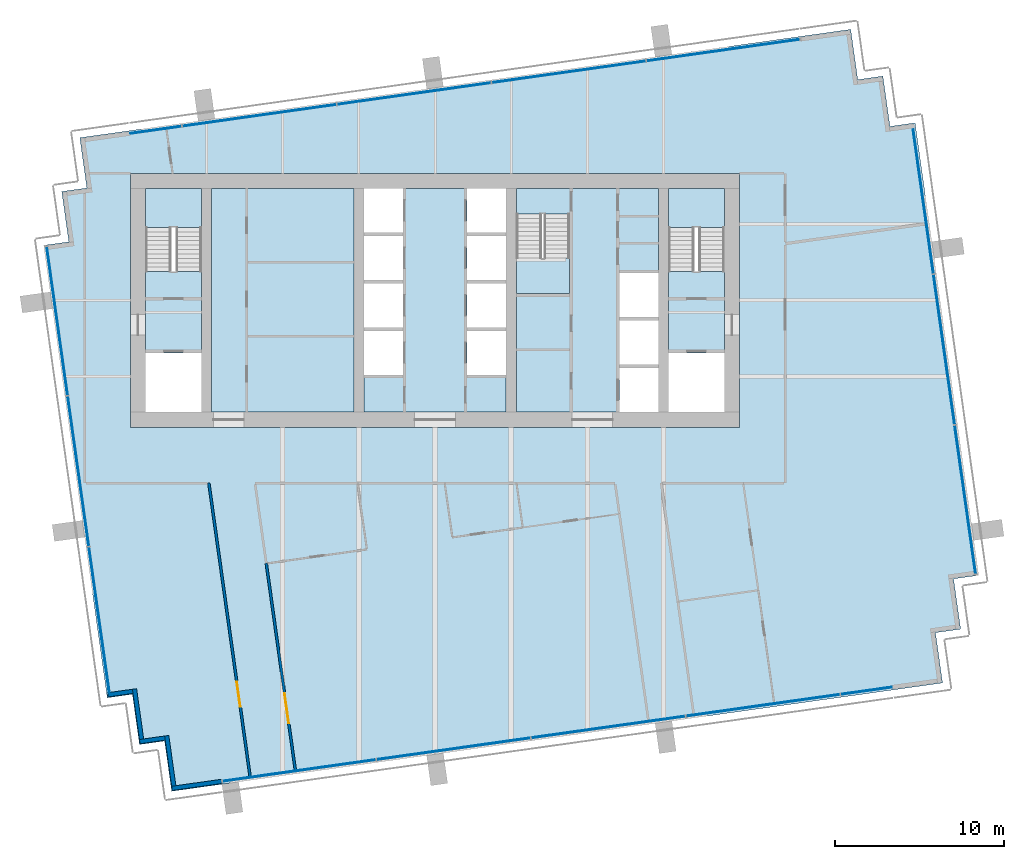
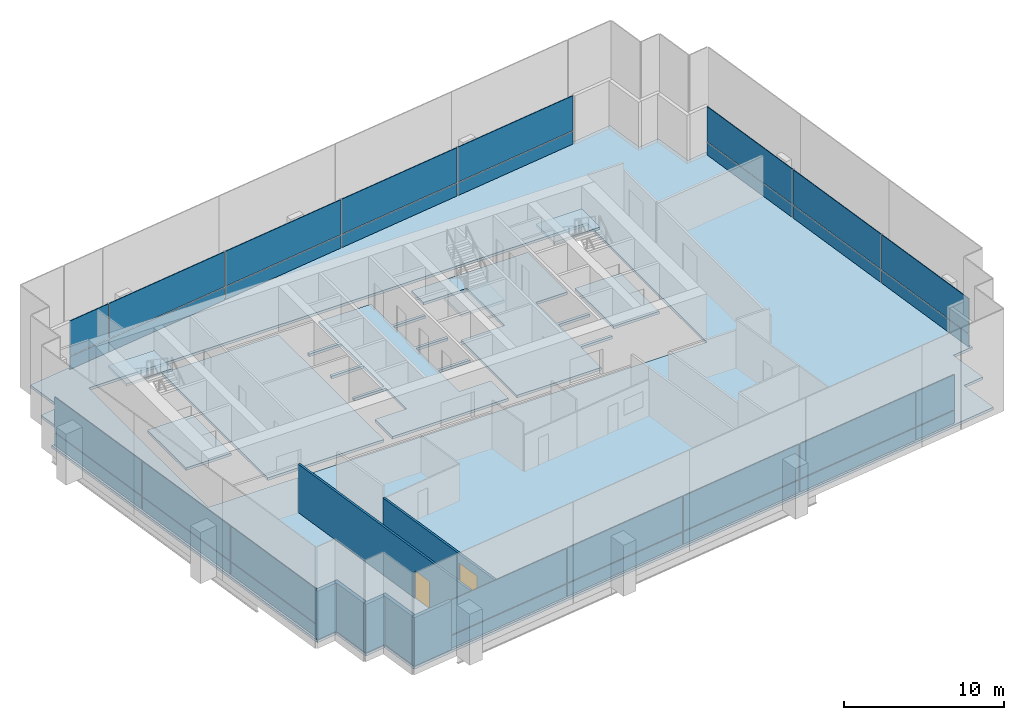
# One storey, part 8 of 17: 32 plates, 9 slabs, 7 walls, 2 doors, 2 openings, 7 elements without a shape of their own.
"""IFC4 building model written with IfcOpenShell, lengths in metres."""

from ifc_helpers import new_model, si_unit, direction, frame, frame_2d, origin, origin_2d, place, context, subcontext, project, spatial, polyline, rectangle, outline, extrude, material, layer, layer_set, type_object, element, fill, aggregate, save


model = new_model("IFC4")

# Units and contexts
model_context = context("Model", 3, precision=1e-05, world=origin(), true_north=direction((0.0, 1.0)))
body_context = subcontext(model_context, "Body", "Model", "MODEL_VIEW")
ifc_project = project(units=[si_unit("LENGTHUNIT", "METRE"), si_unit("AREAUNIT", "SQUARE_METRE"), si_unit("VOLUMEUNIT", "CUBIC_METRE"), si_unit("PLANEANGLEUNIT", "RADIAN"), si_unit("MASSUNIT", "GRAM", prefix="KILO")], contexts=[model_context])

# Site, building, storey
site_placement = place(None, origin())
site = spatial("IfcSite", under=ifc_project, at=site_placement, CompositionType="ELEMENT")
building_placement = place(site_placement, origin())
building = spatial("IfcBuilding", under=site, at=building_placement, Name="Rattan Terrace Tower", CompositionType="ELEMENT")
storey_placement = place(building_placement, frame((0.0, 0.0, 213.5)))
storey = spatial("IfcBuildingStorey", under=building, at=storey_placement, Name="L48", CompositionType="ELEMENT", Elevation=213.5)

# Stair, slab
ifc_material_1 = material(Name="Concrete C40/50", Category="concrete")
stair_type = type_object("IfcStairType", Name="Core exit stair 1500", PredefinedType="HALF_TURN_STAIR", material=ifc_material_1)
stair_1_placement = place(storey_placement, origin())
stair_1 = element("IfcStair", 1, at=stair_1_placement, inside=storey, type_object=stair_type, Name="L48 exit stair 1", PredefinedType="HALF_TURN_STAIR")
ifc_material_2 = material(Name="Concrete C40/50", Category="concrete")
ifc_layer_1 = layer(ifc_material_2, 0.199951171875)
ifc_layer_set_1 = layer_set([ifc_layer_1], Name="Core exit stair landing")
slab_type_1 = type_object("IfcSlabType", Name="Core exit stair landing", PredefinedType="LANDING", material=ifc_layer_set_1)
slab_1_placement = place(storey_placement, frame((0.0, 0.0, 1.75)))
slab_1 = element("IfcSlab", 2, at=slab_1_placement, type_object=slab_type_1, Name="S1 landing 1", PredefinedType="LANDING", context=body_context, shape_type="SweptSolid", body=[
    extrude(outline(polyline([(-13.800048828125, 4.300048828125), (-13.800048828125, 6.60009765625), (-17.10009765625, 6.60009765625), (-17.10009765625, 4.300048828125), (-13.800048828125, 4.300048828125)])), origin(), (0.0, 0.0, 1.0), 0.199951171875),
])
aggregate(stair_1, [slab_1])

stair_2_placement = place(storey_placement, origin())
stair_2 = element("IfcStair", 3, at=stair_2_placement, inside=storey, type_object=stair_type, Name="L48 exit stair 2", PredefinedType="HALF_TURN_STAIR")
slab_2_placement = place(storey_placement, frame((0.0, 0.0, 1.75)))
slab_2 = element("IfcSlab", 4, at=slab_2_placement, type_object=slab_type_1, Name="S2 landing 1", PredefinedType="LANDING", context=body_context, shape_type="SweptSolid", body=[
    extrude(outline(polyline([(17.10009765625, 4.300048828125), (17.10009765625, 6.60009765625), (13.800048828125, 6.60009765625), (13.800048828125, 4.300048828125), (17.10009765625, 4.300048828125)])), origin(), (0.0, 0.0, 1.0), 0.199951171875),
])
aggregate(stair_2, [slab_2])

stair_3_placement = place(storey_placement, origin())
stair_3 = element("IfcStair", 5, at=stair_3_placement, inside=storey, type_object=stair_type, Name="L48 exit stair 3", PredefinedType="HALF_TURN_STAIR")
slab_3_placement = place(storey_placement, frame((0.0, 0.0, 1.75)))
slab_3 = element("IfcSlab", 6, at=slab_3_placement, type_object=slab_type_1, Name="S3 landing 1", PredefinedType="LANDING", context=body_context, shape_type="SweptSolid", body=[
    extrude(outline(polyline([(4.800048828125, 2.5), (4.800048828125, 0.39990234375), (7.949951171875, 0.39990234375), (7.949951171875, 2.5), (4.800048828125, 2.5)])), origin(), (0.0, 0.0, 1.0), 0.199951171875),
])
aggregate(stair_3, [slab_3])

# Slabs
ifc_material_3 = material(Name="Concrete C35/45", Category="concrete")
ifc_layer_2 = layer(ifc_material_3, 0.199951171875)
ifc_layer_set_2 = layer_set([ifc_layer_2], Name="Frame composite floor slab 200")
slab_type_2 = type_object("IfcSlabType", Name="Frame composite floor slab 200", PredefinedType="FLOOR", material=ifc_layer_set_2)
slab_4_placement = place(storey_placement, frame((0.0, 0.0, -0.199951171875)))
element("IfcSlab", 7, at=slab_4_placement, inside=storey, type_object=slab_type_2, Name="Floor slab", PredefinedType="FLOOR", context=body_context, shape_type="SweptSolid", body=[
    extrude(outline(polyline([(-12.591064453125, -28.593994140625), (27.01904296875, -23.027099609375), (29.989990234375, -22.60888671875), (29.572998046875, -19.637939453125), (31.05810546875, -19.429931640625), (30.639892578125, -16.458984375), (32.1259765625, -16.25), (28.367919921875, 10.487060546875), (26.883056640625, 10.278076171875), (26.465087890625, 13.2490234375), (24.97998046875, 13.0400390625), (24.56201171875, 16.010986328125), (21.591064453125, 15.593994140625), (-18.01904296875, 10.027099609375), (-20.989990234375, 9.60888671875), (-20.572998046875, 6.637939453125), (-22.05810546875, 6.429931640625), (-21.639892578125, 3.458984375), (-23.1259765625, 3.25), (-19.367919921875, -23.487060546875), (-17.883056640625, -23.278076171875), (-17.465087890625, -26.2490234375), (-15.97998046875, -26.0400390625), (-15.56201171875, -29.010986328125), (-12.591064453125, -28.593994140625)]), holes=[polyline([(-18.0, -7.5), (18.0, -7.5), (18.0, -6.60009765625), (18.0, 6.60009765625), (18.0, 7.5), (-18.0, 7.5), (-18.0, 6.60009765625), (-18.0, -6.60009765625), (-18.0, -7.5)])]), origin(), (0.0, 0.0, 1.0), 0.199951171875),
])
slab_5_placement = place(storey_placement, frame((0.0, 0.0, -0.199951171875)))
element("IfcSlab", 8, at=slab_5_placement, inside=storey, type_object=slab_type_2, Name="Floor slab", PredefinedType="FLOOR", context=body_context, shape_type="SweptSolid", body=[
    extrude(outline(polyline([(13.199951171875, 6.60009765625), (4.800048828125, 6.60009765625), (4.800048828125, 5.090087890625), (7.949951171875, 5.090087890625), (7.949951171875, 0.39990234375), (4.800048828125, 0.39990234375), (4.800048828125, -6.60009765625), (10.89990234375, -6.60009765625), (10.89990234375, -4.0), (13.199951171875, -4.0), (13.199951171875, -3.800048828125), (10.89990234375, -3.800048828125), (10.89990234375, -1.199951171875), (13.199951171875, -1.199951171875), (13.199951171875, -1.0), (10.89990234375, -1.0), (10.89990234375, 1.60009765625), (13.199951171875, 1.60009765625), (13.199951171875, 6.60009765625)])), origin(), (0.0, 0.0, 1.0), 0.199951171875),
])
slab_6_placement = place(storey_placement, frame((0.0, 0.0, -0.199951171875)))
element("IfcSlab", 9, at=slab_6_placement, inside=storey, type_object=slab_type_2, Name="Floor slab", PredefinedType="FLOOR", context=body_context, shape_type="SweptSolid", body=[
    extrude(outline(polyline([(1.89990234375, 6.60009765625), (-1.89990234375, 6.60009765625), (-1.89990234375, 4.0), (-4.199951171875, 4.0), (-4.199951171875, 3.800048828125), (-1.89990234375, 3.800048828125), (-1.89990234375, 1.199951171875), (-4.199951171875, 1.199951171875), (-4.199951171875, 1.0), (-1.89990234375, 1.0), (-1.89990234375, -1.60009765625), (-4.199951171875, -1.60009765625), (-4.199951171875, -1.800048828125), (-1.89990234375, -1.800048828125), (-1.89990234375, -4.39990234375), (-4.199951171875, -4.39990234375), (-4.199951171875, -6.60009765625), (4.199951171875, -6.60009765625), (4.199951171875, -4.39990234375), (1.89990234375, -4.39990234375), (1.89990234375, -1.800048828125), (4.199951171875, -1.800048828125), (4.199951171875, -1.60009765625), (1.89990234375, -1.60009765625), (1.89990234375, 1.0), (4.199951171875, 1.0), (4.199951171875, 1.199951171875), (1.89990234375, 1.199951171875), (1.89990234375, 3.800048828125), (4.199951171875, 3.800048828125), (4.199951171875, 4.0), (1.89990234375, 4.0), (1.89990234375, 6.60009765625)])), origin(), (0.0, 0.0, 1.0), 0.199951171875),
])
slab_7_placement = place(storey_placement, frame((0.0, 0.0, -0.199951171875)))
element("IfcSlab", 10, at=slab_7_placement, inside=storey, type_object=slab_type_2, Name="Floor slab", PredefinedType="FLOOR", context=body_context, shape_type="SweptSolid", body=[
    extrude(outline(polyline([(-17.10009765625, -3.10009765625), (-13.800048828125, -3.10009765625), (-13.800048828125, 1.7099609375), (-17.10009765625, 1.7099609375), (-17.10009765625, -3.10009765625)])), origin(), (0.0, 0.0, 1.0), 0.199951171875),
])
slab_8_placement = place(storey_placement, frame((0.0, 0.0, -0.199951171875)))
element("IfcSlab", 11, at=slab_8_placement, inside=storey, type_object=slab_type_2, Name="Floor slab", PredefinedType="FLOOR", context=body_context, shape_type="SweptSolid", body=[
    extrude(outline(polyline([(-4.800048828125, -6.60009765625), (-4.800048828125, 6.60009765625), (-13.199951171875, 6.60009765625), (-13.199951171875, -6.60009765625), (-4.800048828125, -6.60009765625)])), origin(), (0.0, 0.0, 1.0), 0.199951171875),
])
slab_9_placement = place(storey_placement, frame((0.0, 0.0, -0.199951171875)))
element("IfcSlab", 12, at=slab_9_placement, inside=storey, type_object=slab_type_2, Name="Floor slab", PredefinedType="FLOOR", context=body_context, shape_type="SweptSolid", body=[
    extrude(outline(polyline([(13.800048828125, -3.10009765625), (17.10009765625, -3.10009765625), (17.10009765625, 1.7099609375), (13.800048828125, 1.7099609375), (13.800048828125, -3.10009765625)])), origin(), (0.0, 0.0, 1.0), 0.199951171875),
])

# Curtain wall, plates
ifc_material_4 = material(Name="Aluminium and laminated glass", Category="aluminium")
ifc_layer_3 = layer(ifc_material_4, 0.199951171875)
ifc_layer_set_3 = layer_set([ifc_layer_3], Name="High-Zone Unitised Curtain Wall")
curtain_wall_type = type_object("IfcCurtainWallType", Name="High-Zone Unitised Curtain Wall", PredefinedType="NOTDEFINED", material=ifc_layer_set_3)
curtain_wall_1_placement = place(storey_placement, origin())
curtain_wall_1 = element("IfcCurtainWall", 13, at=curtain_wall_1_placement, inside=storey, type_object=curtain_wall_type, Name="High-zone curtain wall L48-1", PredefinedType="NOTDEFINED")
ifc_material_5 = material(Name="Aluminium insulated spandrel panel", Category="aluminium")
ifc_layer_4 = layer(ifc_material_5, 0.050048828125)
ifc_layer_set_4 = layer_set([ifc_layer_4], Name="High-Zone CW Spandrel Panel")
plate_type_1 = type_object("IfcPlateType", Name="High-Zone CW Spandrel Panel", PredefinedType="CURTAIN_PANEL", material=ifc_layer_set_4)
plate_1_placement = place(storey_placement, frame((31.32568359375, -11.77783203125, 0.0), z_axis=(0.0, 0.0, 1.0), x_axis=(-0.139186165309, 0.990266232579, 0.0)))
plate_1 = element("IfcPlate", 14, at=plate_1_placement, type_object=plate_type_1, Name="Panel cwl-L48-001.1.1", PredefinedType="CURTAIN_PANEL", context=body_context, shape_type="SweptSolid", body=[
    extrude(rectangle(XDim=8.85009765625, YDim=0.050048828125, at=origin_2d()), origin(), (0.0, 0.0, 1.0), 0.965087890625),
])
plate_2_placement = place(storey_placement, frame((30.07861328125, -2.905029296875, 0.0), z_axis=(0.0, 0.0, 1.0), x_axis=(-0.139186165309, 0.990266232579, 0.0)))
plate_2 = element("IfcPlate", 15, at=plate_2_placement, type_object=plate_type_1, Name="Panel cwl-L48-001.2.1", PredefinedType="CURTAIN_PANEL", context=body_context, shape_type="SweptSolid", body=[
    extrude(rectangle(XDim=8.929931640625, YDim=0.050048828125, at=origin_2d()), origin(), (0.0, 0.0, 1.0), 0.965087890625),
])
plate_3_placement = place(storey_placement, frame((28.843994140625, 5.87841796875, 0.0), z_axis=(0.0, 0.0, 1.0), x_axis=(-0.139186165309, 0.990266232579, 0.0)))
plate_3 = element("IfcPlate", 16, at=plate_3_placement, type_object=plate_type_1, Name="Panel cwl-L48-001.3.1", PredefinedType="CURTAIN_PANEL", context=body_context, shape_type="SweptSolid", body=[
    extrude(rectangle(XDim=8.669677734375, YDim=0.050048828125, at=origin_2d()), origin(), (0.0, 0.0, 1.0), 0.965087890625),
])

curtain_wall_2_placement = place(storey_placement, origin())
curtain_wall_2 = element("IfcCurtainWall", 17, at=curtain_wall_2_placement, inside=storey, type_object=curtain_wall_type, Name="High-zone curtain wall L48-2", PredefinedType="NOTDEFINED")
plate_4_placement = place(storey_placement, frame((17.02685546875, 14.78076171875, 0.0), z_axis=(0.0, 0.0, 1.0), x_axis=(-0.990267457022, -0.139177453499, 0.0)))
plate_4 = element("IfcPlate", 18, at=plate_4_placement, type_object=plate_type_1, Name="Panel cwl-L48-002.1.1", PredefinedType="CURTAIN_PANEL", context=body_context, shape_type="SweptSolid", body=[
    extrude(rectangle(XDim=9.1259765625, YDim=0.050048828125, at=origin_2d()), origin(), (0.0, 0.0, 1.0), 0.965087890625),
])
plate_5_placement = place(storey_placement, frame((7.90283203125, 13.49853515625, 0.0), z_axis=(0.0, 0.0, 1.0), x_axis=(-0.990267457022, -0.139177453499, 0.0)))
plate_5 = element("IfcPlate", 19, at=plate_5_placement, type_object=plate_type_1, Name="Panel cwl-L48-002.2.1", PredefinedType="CURTAIN_PANEL", context=body_context, shape_type="SweptSolid", body=[
    extrude(rectangle(XDim=9.160888671875, YDim=0.050048828125, at=origin_2d()), origin(), (0.0, 0.0, 1.0), 0.965087890625),
])
plate_6_placement = place(storey_placement, frame((-1.23828125, 12.2138671875, 0.0), z_axis=(0.0, 0.0, 1.0), x_axis=(-0.990267457022, -0.139177453499, 0.0)))
plate_6 = element("IfcPlate", 20, at=plate_6_placement, type_object=plate_type_1, Name="Panel cwl-L48-002.3.1", PredefinedType="CURTAIN_PANEL", context=body_context, shape_type="SweptSolid", body=[
    extrude(rectangle(XDim=9.160888671875, YDim=0.050048828125, at=origin_2d()), origin(), (0.0, 0.0, 1.0), 0.965087890625),
])
plate_7_placement = place(storey_placement, frame((-10.37939453125, 10.928955078125, 0.0), z_axis=(0.0, 0.0, 1.0), x_axis=(-0.990267457022, -0.139177453499, 0.0)))
plate_7 = element("IfcPlate", 21, at=plate_7_placement, type_object=plate_type_1, Name="Panel cwl-L48-002.4.1", PredefinedType="CURTAIN_PANEL", context=body_context, shape_type="SweptSolid", body=[
    extrude(rectangle(XDim=9.160888671875, YDim=0.050048828125, at=origin_2d()), origin(), (0.0, 0.0, 1.0), 0.965087890625),
])
plate_8_placement = place(storey_placement, frame((-16.489990234375, 10.0703125, 0.0), z_axis=(0.0, 0.0, 1.0), x_axis=(-0.990267457022, -0.139177453499, 0.0)))
plate_8 = element("IfcPlate", 22, at=plate_8_placement, type_object=plate_type_1, Name="Panel cwl-L48-002.5.1", PredefinedType="CURTAIN_PANEL", context=body_context, shape_type="SweptSolid", body=[
    extrude(rectangle(XDim=3.040283203125, YDim=0.050048828125, at=origin_2d()), origin(), (0.0, 0.0, 1.0), 0.965087890625),
])

curtain_wall_3_placement = place(storey_placement, origin())
curtain_wall_3 = element("IfcCurtainWall", 23, at=curtain_wall_3_placement, inside=storey, type_object=curtain_wall_type, Name="High-zone curtain wall L48-3", PredefinedType="NOTDEFINED")
plate_9_placement = place(storey_placement, frame((-22.32568359375, -1.22216796875, 0.0), z_axis=(0.0, 0.0, 1.0), x_axis=(0.139186165309, -0.990266232579, 0.0)))
plate_9 = element("IfcPlate", 24, at=plate_9_placement, type_object=plate_type_1, Name="Panel cwl-L48-003.1.1", PredefinedType="CURTAIN_PANEL", context=body_context, shape_type="SweptSolid", body=[
    extrude(rectangle(XDim=8.85009765625, YDim=0.050048828125, at=origin_2d()), origin(), (0.0, 0.0, 1.0), 0.965087890625),
])
plate_10_placement = place(storey_placement, frame((-21.07861328125, -10.094970703125, 0.0), z_axis=(0.0, 0.0, 1.0), x_axis=(0.139186165309, -0.990266232579, 0.0)))
plate_10 = element("IfcPlate", 25, at=plate_10_placement, type_object=plate_type_1, Name="Panel cwl-L48-003.2.1", PredefinedType="CURTAIN_PANEL", context=body_context, shape_type="SweptSolid", body=[
    extrude(rectangle(XDim=8.929931640625, YDim=0.050048828125, at=origin_2d()), origin(), (0.0, 0.0, 1.0), 0.965087890625),
])
plate_11_placement = place(storey_placement, frame((-19.843994140625, -18.87841796875, 0.0), z_axis=(0.0, 0.0, 1.0), x_axis=(0.139186165309, -0.990266232579, 0.0)))
plate_11 = element("IfcPlate", 26, at=plate_11_placement, type_object=plate_type_1, Name="Panel cwl-L48-003.3.1", PredefinedType="CURTAIN_PANEL", context=body_context, shape_type="SweptSolid", body=[
    extrude(rectangle(XDim=8.669677734375, YDim=0.050048828125, at=origin_2d()), origin(), (0.0, 0.0, 1.0), 0.965087890625),
])

curtain_wall_4_placement = place(storey_placement, origin())
curtain_wall_4 = element("IfcCurtainWall", 27, at=curtain_wall_4_placement, inside=storey, type_object=curtain_wall_type, Name="High-zone curtain wall L48-4", PredefinedType="NOTDEFINED")
plate_12_placement = place(storey_placement, frame((-8.02685546875, -27.78076171875, 0.0), z_axis=(0.0, 0.0, 1.0), x_axis=(0.990267457022, 0.139177453499, 0.0)))
plate_12 = element("IfcPlate", 28, at=plate_12_placement, type_object=plate_type_1, Name="Panel cwl-L48-004.1.1", PredefinedType="CURTAIN_PANEL", context=body_context, shape_type="SweptSolid", body=[
    extrude(rectangle(XDim=9.1259765625, YDim=0.050048828125, at=origin_2d()), origin(), (0.0, 0.0, 1.0), 0.965087890625),
])
plate_13_placement = place(storey_placement, frame((1.09716796875, -26.49853515625, 0.0), z_axis=(0.0, 0.0, 1.0), x_axis=(0.990267457022, 0.139177453499, 0.0)))
plate_13 = element("IfcPlate", 29, at=plate_13_placement, type_object=plate_type_1, Name="Panel cwl-L48-004.2.1", PredefinedType="CURTAIN_PANEL", context=body_context, shape_type="SweptSolid", body=[
    extrude(rectangle(XDim=9.160888671875, YDim=0.050048828125, at=origin_2d()), origin(), (0.0, 0.0, 1.0), 0.965087890625),
])
plate_14_placement = place(storey_placement, frame((10.23828125, -25.2138671875, 0.0), z_axis=(0.0, 0.0, 1.0), x_axis=(0.990267457022, 0.139177453499, 0.0)))
plate_14 = element("IfcPlate", 30, at=plate_14_placement, type_object=plate_type_1, Name="Panel cwl-L48-004.3.1", PredefinedType="CURTAIN_PANEL", context=body_context, shape_type="SweptSolid", body=[
    extrude(rectangle(XDim=9.160888671875, YDim=0.050048828125, at=origin_2d()), origin(), (0.0, 0.0, 1.0), 0.965087890625),
])
plate_15_placement = place(storey_placement, frame((19.37939453125, -23.928955078125, 0.0), z_axis=(0.0, 0.0, 1.0), x_axis=(0.990267457022, 0.139177453499, 0.0)))
plate_15 = element("IfcPlate", 31, at=plate_15_placement, type_object=plate_type_1, Name="Panel cwl-L48-004.4.1", PredefinedType="CURTAIN_PANEL", context=body_context, shape_type="SweptSolid", body=[
    extrude(rectangle(XDim=9.160888671875, YDim=0.050048828125, at=origin_2d()), origin(), (0.0, 0.0, 1.0), 0.965087890625),
])
plate_16_placement = place(storey_placement, frame((25.489990234375, -23.0703125, 0.0), z_axis=(0.0, 0.0, 1.0), x_axis=(0.990267457022, 0.139177453499, 0.0)))
plate_16 = element("IfcPlate", 32, at=plate_16_placement, type_object=plate_type_1, Name="Panel cwl-L48-004.5.1", PredefinedType="CURTAIN_PANEL", context=body_context, shape_type="SweptSolid", body=[
    extrude(rectangle(XDim=3.040283203125, YDim=0.050048828125, at=origin_2d()), origin(), (0.0, 0.0, 1.0), 0.965087890625),
])

# Plate
ifc_material_6 = material(Name="Laminated low-iron glass", Category="glass")
ifc_layer_5 = layer(ifc_material_6, 0.055908203125)
ifc_layer_set_5 = layer_set([ifc_layer_5], Name="High-Zone CW Vision Panel")
plate_type_2 = type_object("IfcPlateType", Name="High-Zone CW Vision Panel", PredefinedType="CURTAIN_PANEL", material=ifc_layer_set_5)
plate_17_placement = place(storey_placement, frame((31.32568359375, -11.77783203125, 1.034912109375), z_axis=(0.0, 0.0, 1.0), x_axis=(-0.139186165309, 0.990266232579, 0.0)))
plate_17 = element("IfcPlate", 33, at=plate_17_placement, type_object=plate_type_2, Name="Panel cwl-L48-001.1.2", PredefinedType="CURTAIN_PANEL", context=body_context, shape_type="SweptSolid", body=[
    extrude(rectangle(XDim=8.85009765625, YDim=0.055908203125, at=origin_2d()), origin(), (0.0, 0.0, 1.0), 2.6650390625),
])

plate_18_placement = place(storey_placement, frame((30.07861328125, -2.905029296875, 1.034912109375), z_axis=(0.0, 0.0, 1.0), x_axis=(-0.139186165309, 0.990266232579, 0.0)))
plate_18 = element("IfcPlate", 34, at=plate_18_placement, type_object=plate_type_2, Name="Panel cwl-L48-001.2.2", PredefinedType="CURTAIN_PANEL", context=body_context, shape_type="SweptSolid", body=[
    extrude(rectangle(XDim=8.929931640625, YDim=0.055908203125, at=origin_2d()), origin(), (0.0, 0.0, 1.0), 2.6650390625),
])

plate_19_placement = place(storey_placement, frame((28.843994140625, 5.87841796875, 1.034912109375), z_axis=(0.0, 0.0, 1.0), x_axis=(-0.139186165309, 0.990266232579, 0.0)))
plate_19 = element("IfcPlate", 35, at=plate_19_placement, type_object=plate_type_2, Name="Panel cwl-L48-001.3.2", PredefinedType="CURTAIN_PANEL", context=body_context, shape_type="SweptSolid", body=[
    extrude(rectangle(XDim=8.669677734375, YDim=0.055908203125, at=origin_2d()), origin(), (0.0, 0.0, 1.0), 2.6650390625),
])

aggregate(curtain_wall_1, [plate_1, plate_17, plate_2, plate_18, plate_3, plate_19])

plate_20_placement = place(storey_placement, frame((17.02685546875, 14.78076171875, 1.034912109375), z_axis=(0.0, 0.0, 1.0), x_axis=(-0.990267457022, -0.139177453499, 0.0)))
plate_20 = element("IfcPlate", 36, at=plate_20_placement, type_object=plate_type_2, Name="Panel cwl-L48-002.1.2", PredefinedType="CURTAIN_PANEL", context=body_context, shape_type="SweptSolid", body=[
    extrude(rectangle(XDim=9.1259765625, YDim=0.055908203125, at=origin_2d()), origin(), (0.0, 0.0, 1.0), 2.6650390625),
])

plate_21_placement = place(storey_placement, frame((7.90283203125, 13.49853515625, 1.034912109375), z_axis=(0.0, 0.0, 1.0), x_axis=(-0.990267457022, -0.139177453499, 0.0)))
plate_21 = element("IfcPlate", 37, at=plate_21_placement, type_object=plate_type_2, Name="Panel cwl-L48-002.2.2", PredefinedType="CURTAIN_PANEL", context=body_context, shape_type="SweptSolid", body=[
    extrude(rectangle(XDim=9.160888671875, YDim=0.055908203125, at=origin_2d()), origin(), (0.0, 0.0, 1.0), 2.6650390625),
])

plate_22_placement = place(storey_placement, frame((-1.23828125, 12.2138671875, 1.034912109375), z_axis=(0.0, 0.0, 1.0), x_axis=(-0.990267457022, -0.139177453499, 0.0)))
plate_22 = element("IfcPlate", 38, at=plate_22_placement, type_object=plate_type_2, Name="Panel cwl-L48-002.3.2", PredefinedType="CURTAIN_PANEL", context=body_context, shape_type="SweptSolid", body=[
    extrude(rectangle(XDim=9.160888671875, YDim=0.055908203125, at=origin_2d()), origin(), (0.0, 0.0, 1.0), 2.6650390625),
])

plate_23_placement = place(storey_placement, frame((-10.37939453125, 10.928955078125, 1.034912109375), z_axis=(0.0, 0.0, 1.0), x_axis=(-0.990267457022, -0.139177453499, 0.0)))
plate_23 = element("IfcPlate", 39, at=plate_23_placement, type_object=plate_type_2, Name="Panel cwl-L48-002.4.2", PredefinedType="CURTAIN_PANEL", context=body_context, shape_type="SweptSolid", body=[
    extrude(rectangle(XDim=9.160888671875, YDim=0.055908203125, at=origin_2d()), origin(), (0.0, 0.0, 1.0), 2.6650390625),
])

plate_24_placement = place(storey_placement, frame((-16.489990234375, 10.0703125, 1.034912109375), z_axis=(0.0, 0.0, 1.0), x_axis=(-0.990267457022, -0.139177453499, 0.0)))
plate_24 = element("IfcPlate", 40, at=plate_24_placement, type_object=plate_type_2, Name="Panel cwl-L48-002.5.2", PredefinedType="CURTAIN_PANEL", context=body_context, shape_type="SweptSolid", body=[
    extrude(rectangle(XDim=3.040283203125, YDim=0.055908203125, at=origin_2d()), origin(), (0.0, 0.0, 1.0), 2.6650390625),
])

aggregate(curtain_wall_2, [plate_4, plate_20, plate_5, plate_21, plate_6, plate_22, plate_7, plate_23, plate_8, plate_24])

plate_25_placement = place(storey_placement, frame((-22.32568359375, -1.22216796875, 1.034912109375), z_axis=(0.0, 0.0, 1.0), x_axis=(0.139186165309, -0.990266232579, 0.0)))
plate_25 = element("IfcPlate", 41, at=plate_25_placement, type_object=plate_type_2, Name="Panel cwl-L48-003.1.2", PredefinedType="CURTAIN_PANEL", context=body_context, shape_type="SweptSolid", body=[
    extrude(rectangle(XDim=8.85009765625, YDim=0.055908203125, at=origin_2d()), origin(), (0.0, 0.0, 1.0), 2.6650390625),
])

plate_26_placement = place(storey_placement, frame((-21.07861328125, -10.094970703125, 1.034912109375), z_axis=(0.0, 0.0, 1.0), x_axis=(0.139186165309, -0.990266232579, 0.0)))
plate_26 = element("IfcPlate", 42, at=plate_26_placement, type_object=plate_type_2, Name="Panel cwl-L48-003.2.2", PredefinedType="CURTAIN_PANEL", context=body_context, shape_type="SweptSolid", body=[
    extrude(rectangle(XDim=8.929931640625, YDim=0.055908203125, at=origin_2d()), origin(), (0.0, 0.0, 1.0), 2.6650390625),
])

plate_27_placement = place(storey_placement, frame((-19.843994140625, -18.87841796875, 1.034912109375), z_axis=(0.0, 0.0, 1.0), x_axis=(0.139186165309, -0.990266232579, 0.0)))
plate_27 = element("IfcPlate", 43, at=plate_27_placement, type_object=plate_type_2, Name="Panel cwl-L48-003.3.2", PredefinedType="CURTAIN_PANEL", context=body_context, shape_type="SweptSolid", body=[
    extrude(rectangle(XDim=8.669677734375, YDim=0.055908203125, at=origin_2d()), origin(), (0.0, 0.0, 1.0), 2.6650390625),
])

aggregate(curtain_wall_3, [plate_9, plate_25, plate_10, plate_26, plate_11, plate_27])

plate_28_placement = place(storey_placement, frame((-8.02685546875, -27.78076171875, 1.034912109375), z_axis=(0.0, 0.0, 1.0), x_axis=(0.990267457022, 0.139177453499, 0.0)))
plate_28 = element("IfcPlate", 44, at=plate_28_placement, type_object=plate_type_2, Name="Panel cwl-L48-004.1.2", PredefinedType="CURTAIN_PANEL", context=body_context, shape_type="SweptSolid", body=[
    extrude(rectangle(XDim=9.1259765625, YDim=0.055908203125, at=origin_2d()), origin(), (0.0, 0.0, 1.0), 2.6650390625),
])

plate_29_placement = place(storey_placement, frame((1.09716796875, -26.49853515625, 1.034912109375), z_axis=(0.0, 0.0, 1.0), x_axis=(0.990267457022, 0.139177453499, 0.0)))
plate_29 = element("IfcPlate", 45, at=plate_29_placement, type_object=plate_type_2, Name="Panel cwl-L48-004.2.2", PredefinedType="CURTAIN_PANEL", context=body_context, shape_type="SweptSolid", body=[
    extrude(rectangle(XDim=9.160888671875, YDim=0.055908203125, at=origin_2d()), origin(), (0.0, 0.0, 1.0), 2.6650390625),
])

plate_30_placement = place(storey_placement, frame((10.23828125, -25.2138671875, 1.034912109375), z_axis=(0.0, 0.0, 1.0), x_axis=(0.990267457022, 0.139177453499, 0.0)))
plate_30 = element("IfcPlate", 46, at=plate_30_placement, type_object=plate_type_2, Name="Panel cwl-L48-004.3.2", PredefinedType="CURTAIN_PANEL", context=body_context, shape_type="SweptSolid", body=[
    extrude(rectangle(XDim=9.160888671875, YDim=0.055908203125, at=origin_2d()), origin(), (0.0, 0.0, 1.0), 2.6650390625),
])

plate_31_placement = place(storey_placement, frame((19.37939453125, -23.928955078125, 1.034912109375), z_axis=(0.0, 0.0, 1.0), x_axis=(0.990267457022, 0.139177453499, 0.0)))
plate_31 = element("IfcPlate", 47, at=plate_31_placement, type_object=plate_type_2, Name="Panel cwl-L48-004.4.2", PredefinedType="CURTAIN_PANEL", context=body_context, shape_type="SweptSolid", body=[
    extrude(rectangle(XDim=9.160888671875, YDim=0.055908203125, at=origin_2d()), origin(), (0.0, 0.0, 1.0), 2.6650390625),
])

plate_32_placement = place(storey_placement, frame((25.489990234375, -23.0703125, 1.034912109375), z_axis=(0.0, 0.0, 1.0), x_axis=(0.990267457022, 0.139177453499, 0.0)))
plate_32 = element("IfcPlate", 48, at=plate_32_placement, type_object=plate_type_2, Name="Panel cwl-L48-004.5.2", PredefinedType="CURTAIN_PANEL", context=body_context, shape_type="SweptSolid", body=[
    extrude(rectangle(XDim=3.040283203125, YDim=0.055908203125, at=origin_2d()), origin(), (0.0, 0.0, 1.0), 2.6650390625),
])

aggregate(curtain_wall_4, [plate_12, plate_28, plate_13, plate_29, plate_14, plate_30, plate_15, plate_31, plate_16, plate_32])

# Walls
ifc_material_7 = material(Name="Insulated aluminium-clad stud wall", Category="aluminium")
ifc_layer_6 = layer(ifc_material_7, 0.25)
ifc_layer_set_6 = layer_set([ifc_layer_6], Name="Facade Riser Wall 250")
wall_type_1 = type_object("IfcWallType", Name="Facade Riser Wall 250", PredefinedType="SOLIDWALL", material=ifc_layer_set_6)
wall_1_placement = place(storey_placement, frame((-19.322265625, -23.308837890625, 0.0), z_axis=(0.0, 0.0, 1.0), x_axis=(0.990235520307, 0.13940449893, 0.0)))
element("IfcWall", 49, at=wall_1_placement, inside=storey, type_object=wall_type_1, Name="Riser wall L48-16", PredefinedType="SOLIDWALL", context=body_context, shape_type="SweptSolid", body=[
    extrude(rectangle(XDim=1.474609375, YDim=0.25, at=frame_2d((0.7373046875, 0.0))), origin(), (0.0, 0.0, 1.0), 3.699951171875),
])
wall_2_placement = place(storey_placement, frame((-17.755859375, -22.962158203125, 0.0), z_axis=(0.0, 0.0, 1.0), x_axis=(0.139393225799, -0.990237107263, 0.0)))
element("IfcWall", 50, at=wall_2_placement, inside=storey, type_object=wall_type_1, Name="Riser wall L48-17", PredefinedType="SOLIDWALL", context=body_context, shape_type="SweptSolid", body=[
    extrude(rectangle(XDim=3.000244140625, YDim=0.25, at=frame_2d((1.5, 0.0))), origin(), (0.0, 0.0, 1.0), 3.699951171875),
])
wall_3_placement = place(storey_placement, frame((-17.444091796875, -26.074462890625, 0.0), z_axis=(0.0, 0.0, 1.0), x_axis=(0.990240434918, 0.139369584395, 0.0)))
element("IfcWall", 51, at=wall_3_placement, inside=storey, type_object=wall_type_1, Name="Riser wall L48-18", PredefinedType="SOLIDWALL", context=body_context, shape_type="SweptSolid", body=[
    extrude(rectangle(XDim=1.49951171875, YDim=0.25, at=frame_2d((0.749755859375, 0.0))), origin(), (0.0, 0.0, 1.0), 3.699951171875),
])
wall_4_placement = place(storey_placement, frame((-15.852783203125, -25.72412109375, 0.0), z_axis=(0.0, 0.0, 1.0), x_axis=(0.139302206688, -0.990249915532, 0.0)))
element("IfcWall", 52, at=wall_4_placement, inside=storey, type_object=wall_type_1, Name="Riser wall L48-19", PredefinedType="SOLIDWALL", context=body_context, shape_type="SweptSolid", body=[
    extrude(rectangle(XDim=3.00048828125, YDim=0.25, at=frame_2d((1.500244140625, 0.0))), origin(), (0.0, 0.0, 1.0), 3.699951171875),
])
wall_5_placement = place(storey_placement, frame((-15.541015625, -28.83642578125, 0.0), z_axis=(0.0, 0.0, 1.0), x_axis=(0.990285396533, 0.139049751574, 0.0)))
element("IfcWall", 53, at=wall_5_placement, inside=storey, type_object=wall_type_1, Name="Riser wall L48-20", PredefinedType="SOLIDWALL", context=body_context, shape_type="SweptSolid", body=[
    extrude(rectangle(XDim=2.955078125, YDim=0.25, at=frame_2d((1.4775390625, 0.0))), origin(), (0.0, 0.0, 1.0), 3.699951171875),
])

# Wall, opening, door
ifc_material_8 = material(Name="Gypsum board partition on steel studs, fire rated", Category="steel")
ifc_layer_7 = layer(ifc_material_8, 0.14990234375)
ifc_layer_set_7 = layer_set([ifc_layer_7], Name="Floors Tenancy Wall 150")
wall_type_2 = type_object("IfcWallType", Name="Floors Tenancy Wall 150", PredefinedType="PARTITIONING", material=ifc_layer_set_7)
wall_6_placement = place(storey_placement, frame((-10.931884765625, -28.09912109375, 0.0), z_axis=(0.0, 0.0, 1.0), x_axis=(-0.139168963114, 0.990268650269, 0.0)))
wall_6 = element("IfcWall", 54, at=wall_6_placement, inside=storey, type_object=wall_type_2, Name="pt-L48-003", PredefinedType="PARTITIONING", context=body_context, shape_type="SweptSolid", body=[
    extrude(rectangle(XDim=17.468994140625, YDim=0.14990234375, at=frame_2d((8.734375, 0.0))), origin(), (0.0, 0.0, 1.0), 3.699951171875),
])
opening_1_placement = place(wall_6_placement, frame((4.116943359375, 0.0, 0.0)))
opening_1 = element("IfcOpeningElement", 55, at=opening_1_placement, cuts=wall_6, Name="Opening L48-D100", PredefinedType="OPENING", context=body_context, shape_type="SweptSolid", body=[
    extrude(rectangle(XDim=1.5, YDim=2.10009765625, at=frame_2d((0.75, 1.050048828125))), frame((0.0, 0.08544921875, 0.0), z_axis=(0.0, -1.0, 0.0), x_axis=(1.0, 0.0, 0.0)), (0.0, 0.0, 1.0), 0.1708984375),
])
ifc_material_9 = material(Name="Steel fire door set", Category="steel")
door_type_1 = type_object("IfcDoorType", Name="Floors Unit Door Pair FD30S 1500x2100", OperationType="NOTDEFINED", PredefinedType="DOOR", material=ifc_material_9)
door_1_placement = place(opening_1_placement, origin())
door_1 = element("IfcDoor", 56, at=door_1_placement, inside=storey, type_object=door_type_1, Name="d-L48-100", OperationType="DOUBLE_DOOR_SINGLE_SWING", OverallHeight=2.10009765625, OverallWidth=1.5, PredefinedType="DOOR", context=body_context, shape_type="SweptSolid", body=[
    extrude(rectangle(XDim=1.5, YDim=2.10009765625, at=frame_2d((0.75, 1.050048828125))), frame((0.0, 0.02490234375, 0.0), z_axis=(0.0, -1.0, 0.0), x_axis=(1.0, 0.0, 0.0)), (0.0, 0.0, 1.0), 0.050048828125),
])
fill(opening_1, door_1)

wall_7_placement = place(storey_placement, frame((-9.971923828125, -15.532958984375, 0.0), z_axis=(0.0, 0.0, 1.0), x_axis=(0.139149686673, -0.990271359123, 0.0)))
wall_7 = element("IfcWall", 57, at=wall_7_placement, inside=storey, type_object=wall_type_2, Name="pt-L48-012", PredefinedType="PARTITIONING", context=body_context, shape_type="SweptSolid", body=[
    extrude(rectangle(XDim=12.309814453125, YDim=0.14990234375, at=frame_2d((6.15478515625, 0.0))), origin(), (0.0, 0.0, 1.0), 2.800048828125),
])
opening_2_placement = place(wall_7_placement, frame((7.757080078125, 0.0, 0.0)))
opening_2 = element("IfcOpeningElement", 58, at=opening_2_placement, cuts=wall_7, Name="Opening L48-D106", PredefinedType="OPENING", context=body_context, shape_type="SweptSolid", body=[
    extrude(rectangle(XDim=1.800048828125, YDim=2.10009765625, at=frame_2d((0.89990234375, 1.050048828125))), frame((0.0, 0.08544921875, 0.0), z_axis=(0.0, -1.0, 0.0), x_axis=(1.0, 0.0, 0.0)), (0.0, 0.0, 1.0), 0.1708984375),
])
ifc_material_10 = material(Name="Steel fire door set", Category="steel")
door_type_2 = type_object("IfcDoorType", Name="Floors Fire Door Pair FD30S 1800x2100", OperationType="NOTDEFINED", PredefinedType="DOOR", material=ifc_material_10)
door_2_placement = place(opening_2_placement, origin())
door_2 = element("IfcDoor", 59, at=door_2_placement, inside=storey, type_object=door_type_2, Name="d-L48-106", OperationType="DOUBLE_DOOR_SINGLE_SWING", OverallHeight=2.10009765625, OverallWidth=1.800048828125, PredefinedType="DOOR", context=body_context, shape_type="SweptSolid", body=[
    extrude(rectangle(XDim=1.800048828125, YDim=2.10009765625, at=frame_2d((0.89990234375, 1.050048828125))), frame((0.0, 0.02490234375, 0.0), z_axis=(0.0, -1.0, 0.0), x_axis=(1.0, 0.0, 0.0)), (0.0, 0.0, 1.0), 0.050048828125),
])
fill(opening_2, door_2)

save(model, "model.ifc")
